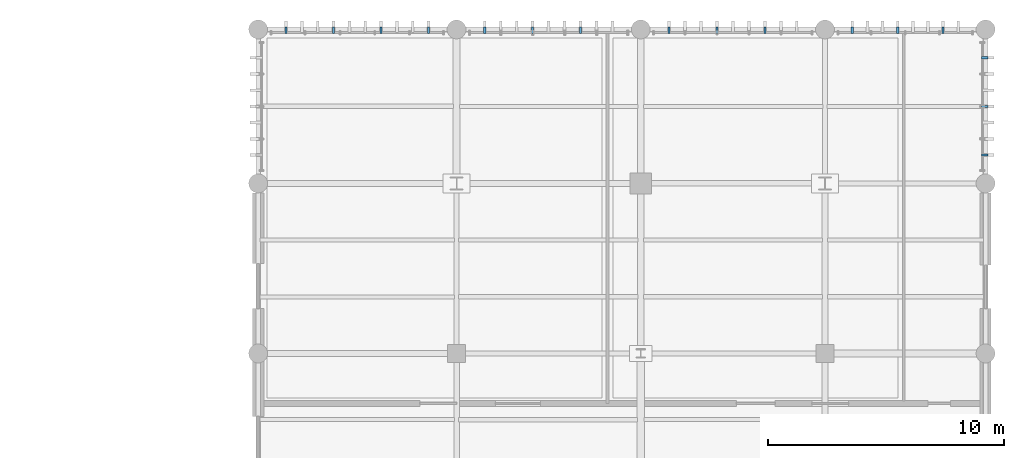
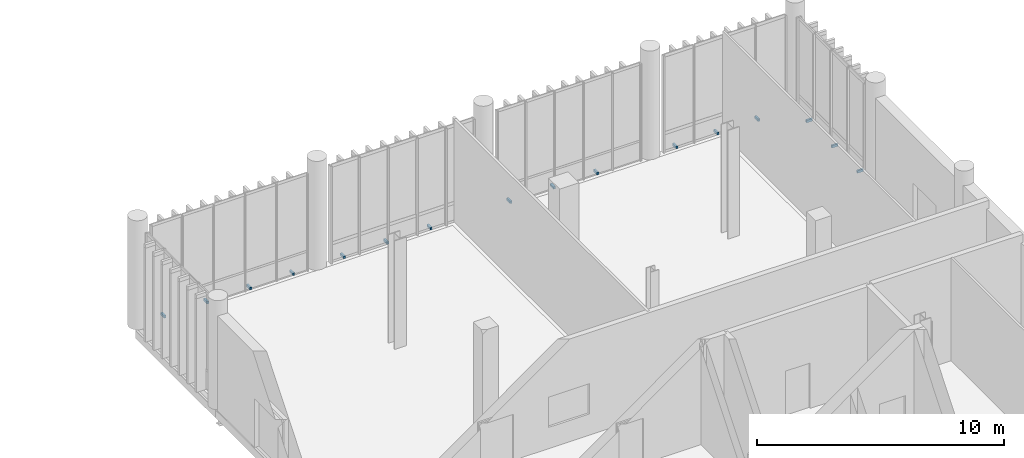
# One storey, part 101 of 112: 16 discrete accessories.
"""IFC4 building model written with IfcOpenShell, lengths in metres."""

from ifc_helpers import new_model, si_unit, direction, frame, origin_with_axes, origin_2d_with_axis, place, context, subcontext, project, spatial, rectangle, extrude, material, type_object, element, save


model = new_model("IFC4")

# Units and contexts
model_context = context("Model", 3, precision=1e-05, world=origin_with_axes(), true_north=direction((0.0, 1.0)))
body_context = subcontext(model_context, "Body", "Model", "MODEL_VIEW")
ifc_project = project(units=[si_unit("LENGTHUNIT", "METRE"), si_unit("AREAUNIT", "SQUARE_METRE"), si_unit("VOLUMEUNIT", "CUBIC_METRE"), si_unit("PLANEANGLEUNIT", "RADIAN"), si_unit("MASSUNIT", "GRAM", prefix="KILO"), si_unit("THERMODYNAMICTEMPERATUREUNIT", "KELVIN")], contexts=[model_context])

# Site, building, storey
site_placement = place(None, origin_with_axes())
site = spatial("IfcSite", under=ifc_project, at=site_placement, CompositionType="ELEMENT")
building_placement = place(site_placement, origin_with_axes())
building = spatial("IfcBuilding", under=site, at=building_placement, Name="Montbau Bow Law Courts", CompositionType="ELEMENT")
storey_placement = place(building_placement, origin_with_axes())
storey = spatial("IfcBuildingStorey", under=building, at=storey_placement, Name="L00", CompositionType="ELEMENT", Elevation=0.0)

# Discrete accessories
ifc_material = material(Name="Stainless Steel AISI 316L Outrigger Louvre Bracket", Category="steel")
discrete_accessory_type = type_object("IfcDiscreteAccessoryType", Name="DA-BRK-01", PredefinedType="BRACKET", material=ifc_material)
for number, where, z_axis, x_axis, name in (
    (1, (139.785, 116.88, 0.0), (0.0, 0.0, 1.0), (0.0, 1.0, 0.0), "BRK-L00-0877:brk_0877"),
    (2, (141.795, 116.88, 0.0), (0.0, 0.0, 1.0), (0.0, 1.0, 0.0), "BRK-L00-0878:brk_0878"),
    (3, (143.805, 116.88, 0.0), (0.0, 0.0, 1.0), (0.0, 1.0, 0.0), "BRK-L00-0879:brk_0879"),
    (4, (145.815, 116.88, 0.0), (0.0, 0.0, 1.0), (0.0, 1.0, 0.0), "BRK-L00-0880:brk_0880"),
    (5, (148.192, 116.88, 0.0), (0.0, 0.0, 1.0), (0.0, 1.0, 0.0), "BRK-L00-0881:brk_0881"),
    (6, (150.223, 116.88, 0.0), (0.0, 0.0, 1.0), (0.0, 1.0, 0.0), "BRK-L00-0882:brk_0882"),
    (7, (152.254, 116.88, 0.0), (0.0, 0.0, 1.0), (0.0, 1.0, 0.0), "BRK-L00-0883:brk_0883"),
    (8, (155.992, 116.88, 0.0), (0.0, 0.0, 1.0), (0.0, 1.0, 0.0), "BRK-L00-0884:brk_0884"),
    (9, (158.023, 116.88, 0.0), (0.0, 0.0, 1.0), (0.0, 1.0, 0.0), "BRK-L00-0885:brk_0885"),
    (10, (160.054, 116.88, 0.0), (0.0, 0.0, 1.0), (0.0, 1.0, 0.0), "BRK-L00-0886:brk_0886"),
    (11, (163.756, 116.88, 0.0), (0.0, 0.0, 1.0), (0.0, 1.0, 0.0), "BRK-L00-0887:brk_0887"),
    (12, (165.679, 116.88, 0.0), (0.0, 0.0, 1.0), (0.0, 1.0, 0.0), "BRK-L00-0888:brk_0888"),
    (13, (167.603, 116.88, 0.0), (0.0, 0.0, 1.0), (0.0, 1.0, 0.0), "BRK-L00-0889:brk_0889"),
    (14, (169.36, 111.601, 0.0), (0.0, 0.0, 1.0), (1.0, 0.0, 0.0), "BRK-L00-0924:brk_0924"),
    (15, (169.36, 113.66, 0.0), (0.0, 0.0, 1.0), (1.0, 0.0, 0.0), "BRK-L00-0925:brk_0925"),
    (16, (169.36, 115.719, 0.0), (0.0, 0.0, 1.0), (1.0, 0.0, 0.0), "BRK-L00-0926:brk_0926"),
):
    element("IfcDiscreteAccessory", number, at=place(None, frame(where, z_axis=z_axis, x_axis=x_axis)), inside=storey, type_object=discrete_accessory_type, Name=name, PredefinedType="BRACKET", context=body_context, shape_type="SweptSolid", body=[
        extrude(rectangle(XDim=0.28, YDim=0.09, at=origin_2d_with_axis()), origin_with_axes(), (0.0, 0.0, 1.0), 0.12),
    ])

save(model, "model.ifc")
